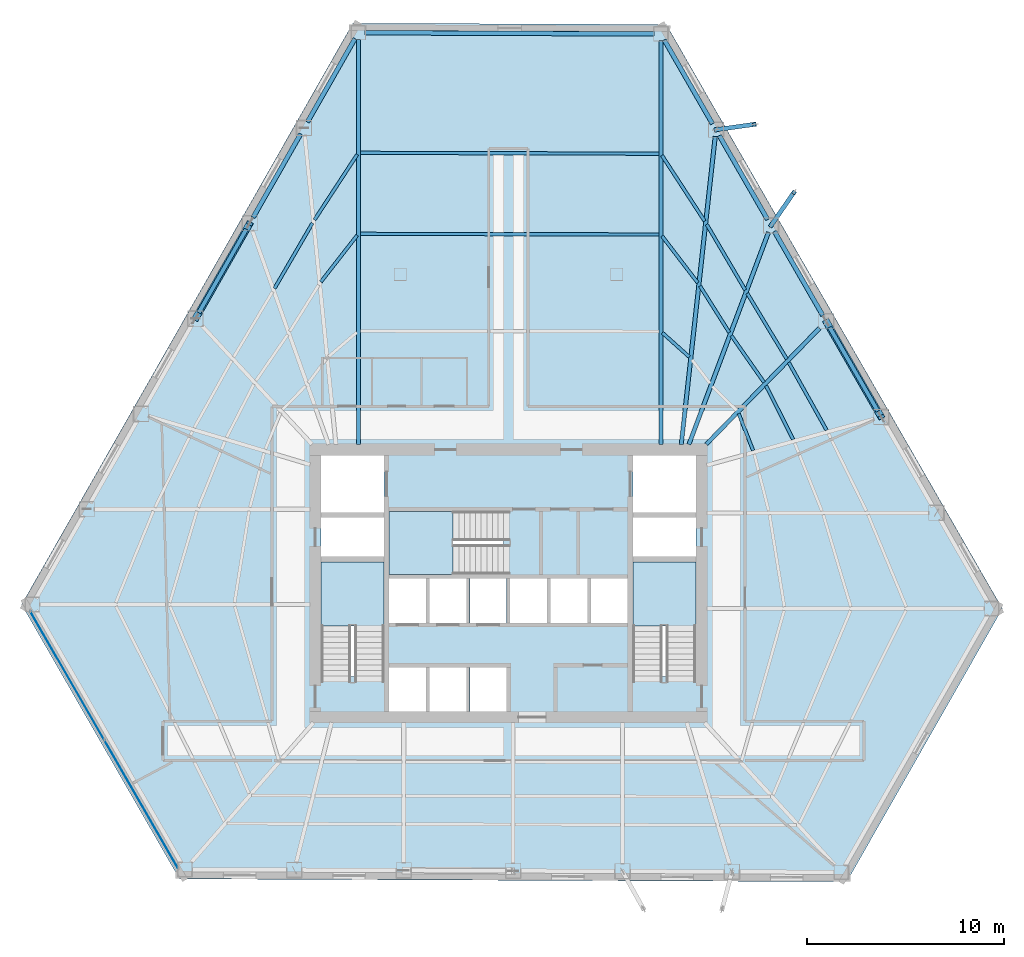
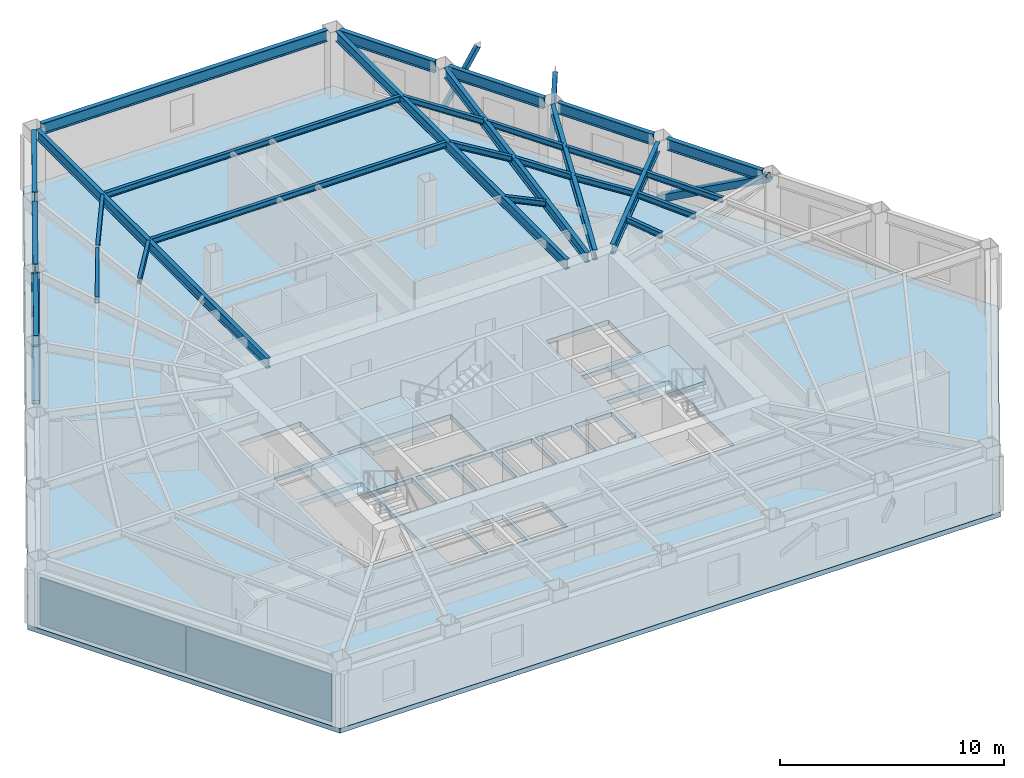
# One storey, part 4 of 13: 28 beams, 4 members, 4 slabs, 2 plates, 4 elements without a shape of their own.
"""IFC4 building model written with IfcOpenShell, lengths in metres."""

from ifc_helpers import new_model, si_unit, direction, frame, origin, origin_2d, place, context, subcontext, project, spatial, polyline, rectangle, hollow_rectangle, i_section, outline, extrude, material, layer, layer_set, material_profile, profile_set, type_object, element, aggregate, save


model = new_model("IFC4")

# Units and contexts
model_context = context("Model", 3, precision=1e-05, world=origin(), true_north=direction((0.0, 1.0)))
body_context = subcontext(model_context, "Body", "Model", "MODEL_VIEW")
ifc_project = project(units=[si_unit("LENGTHUNIT", "METRE"), si_unit("AREAUNIT", "SQUARE_METRE"), si_unit("VOLUMEUNIT", "CUBIC_METRE"), si_unit("PLANEANGLEUNIT", "RADIAN"), si_unit("MASSUNIT", "GRAM", prefix="KILO")], contexts=[model_context])

# Site, building, storey
site_placement = place(None, origin())
site = spatial("IfcSite", under=ifc_project, at=site_placement, CompositionType="ELEMENT")
building_placement = place(site_placement, origin())
building = spatial("IfcBuilding", under=site, at=building_placement, Name="Kavelnor Concourse Tower", CompositionType="ELEMENT")
storey_placement = place(building_placement, frame((0.0, 0.0, 36.800048828125)))
storey = spatial("IfcBuildingStorey", under=building, at=storey_placement, Name="L09", CompositionType="ELEMENT", Elevation=36.800048828125)

# Beams
ifc_material_1 = material(Name="Steel Grade 350", Category="steel")
ifc_material_profile_1 = material_profile(ifc_material_1, i_section(OverallWidth=0.166015625, OverallDepth=0.306884765625, WebThickness=0.006591796875, FlangeThickness=0.01171875, at=origin_2d()), Name="310UB46")
ifc_profile_set_1 = profile_set([ifc_material_profile_1], Name="Steel Grade 350")
beam_type_1 = type_object("IfcBeamType", Name="BM-JOIST-310", PredefinedType="JOIST", material=ifc_profile_set_1)
beam_1_placement = place(storey_placement, frame((50.431884765625, 22.855224609375, 3.4365234375), z_axis=(-0.363791365494, 0.931480457332, 0.0), x_axis=(-0.931480457332, -0.363791365494, 0.0)))
element("IfcBeam", 1, at=beam_1_placement, inside=storey, type_object=beam_type_1, Name="L09 Secondary Composite Joist 11-1", PredefinedType="JOIST", context=body_context, shape_type="SweptSolid", body=[
    extrude(i_section(OverallWidth=0.166015625, OverallDepth=0.306884765625, WebThickness=0.006591796875, FlangeThickness=0.01171875, at=origin_2d()), origin(), (0.0, 0.0, 1.0), 2.013916015625),
])
beam_2_placement = place(storey_placement, frame((52.468505859375, 23.416748046875, 3.4365234375), z_axis=(-0.450844718628, 0.892602397311, 0.0), x_axis=(-0.892602397311, -0.450844718628, 0.0)))
element("IfcBeam", 2, at=beam_2_placement, inside=storey, type_object=beam_type_1, Name="L09 Secondary Composite Joist 11-2", PredefinedType="JOIST", context=body_context, shape_type="SweptSolid", body=[
    extrude(i_section(OverallWidth=0.166015625, OverallDepth=0.306884765625, WebThickness=0.006591796875, FlangeThickness=0.01171875, at=origin_2d()), origin(), (0.0, 0.0, 1.0), 3.062744140625),
])
beam_3_placement = place(storey_placement, frame((54.16943359375, 23.885986328125, 3.4365234375), z_axis=(-0.488296510032, 0.872677786065, 0.0), x_axis=(-0.872677786065, -0.488296510032, 0.0)))
element("IfcBeam", 3, at=beam_3_placement, inside=storey, type_object=beam_type_1, Name="L09 Secondary Composite Joist 11-3", PredefinedType="JOIST", context=body_context, shape_type="SweptSolid", body=[
    extrude(i_section(OverallWidth=0.166015625, OverallDepth=0.306884765625, WebThickness=0.006591796875, FlangeThickness=0.01171875, at=origin_2d()), origin(), (0.0, 0.0, 1.0), 3.949462890625),
])
beam_4_placement = place(storey_placement, frame((50.98681640625, 26.3193359375, 3.4365234375), z_axis=(-0.573014618972, 0.819545146068, 0.0), x_axis=(-0.819545146068, -0.573014618972, 0.0)))
element("IfcBeam", 4, at=beam_4_placement, inside=storey, type_object=beam_type_1, Name="L09 Secondary Composite Joist 12-2", PredefinedType="JOIST", context=body_context, shape_type="SweptSolid", body=[
    extrude(i_section(OverallWidth=0.166015625, OverallDepth=0.306884765625, WebThickness=0.006591796875, FlangeThickness=0.01171875, at=origin_2d()), origin(), (0.0, 0.0, 1.0), 2.8916015625),
])
beam_5_placement = place(storey_placement, frame((52.14208984375, 27.502685546875, 3.4365234375), z_axis=(-0.515398326618, 0.856950736576, 0.0), x_axis=(-0.856950736576, -0.515398326618, 0.0)))
element("IfcBeam", 5, at=beam_5_placement, inside=storey, type_object=beam_type_1, Name="L09 Secondary Composite Joist 12-3", PredefinedType="JOIST", context=body_context, shape_type="SweptSolid", body=[
    extrude(i_section(OverallWidth=0.166015625, OverallDepth=0.306884765625, WebThickness=0.006591796875, FlangeThickness=0.01171875, at=origin_2d()), origin(), (0.0, 0.0, 1.0), 3.89697265625),
])
beam_6_placement = place(storey_placement, frame((49.220703125, 28.853271484375, 3.4365234375), z_axis=(-0.533065798125, 0.846073788076, 0.0), x_axis=(-0.846073788076, -0.533065798125, 0.0)))
element("IfcBeam", 6, at=beam_6_placement, inside=storey, type_object=beam_type_1, Name="L09 Secondary Composite Joist 13-2", PredefinedType="JOIST", context=body_context, shape_type="SweptSolid", body=[
    extrude(i_section(OverallWidth=0.166015625, OverallDepth=0.306884765625, WebThickness=0.006591796875, FlangeThickness=0.01171875, at=origin_2d()), origin(), (0.0, 0.0, 1.0), 2.794677734375),
])
beam_7_placement = place(storey_placement, frame((50.03271484375, 31.01171875, 3.4365234375), z_axis=(-0.506482187894, 0.862250423802, 0.0), x_axis=(-0.862250423802, -0.506482187894, 0.0)))
element("IfcBeam", 7, at=beam_7_placement, inside=storey, type_object=beam_type_1, Name="L09 Secondary Composite Joist 13-3", PredefinedType="JOIST", context=body_context, shape_type="SweptSolid", body=[
    extrude(i_section(OverallWidth=0.166015625, OverallDepth=0.306884765625, WebThickness=0.006591796875, FlangeThickness=0.01171875, at=origin_2d()), origin(), (0.0, 0.0, 1.0), 3.868408203125),
])
beam_8_placement = place(storey_placement, frame((47.19091796875, 27.609619140625, 3.4365234375), z_axis=(-0.744694180789, 0.667405856357, 0.0), x_axis=(-0.667405856357, -0.744694180789, 0.0)))
element("IfcBeam", 8, at=beam_8_placement, inside=storey, type_object=beam_type_1, Name="L09 Secondary Composite Joist 14-1", PredefinedType="JOIST", context=body_context, shape_type="SweptSolid", body=[
    extrude(i_section(OverallWidth=0.166015625, OverallDepth=0.306884765625, WebThickness=0.006591796875, FlangeThickness=0.01171875, at=origin_2d()), origin(), (0.0, 0.0, 1.0), 1.8447265625),
])
beam_9_placement = place(storey_placement, frame((47.618408203125, 31.37939453125, 3.4365234375), z_axis=(-0.607216599188, 0.794536343832, 0.0), x_axis=(-0.794536343832, -0.607216599188, 0.0)))
element("IfcBeam", 9, at=beam_9_placement, inside=storey, type_object=beam_type_1, Name="L09 Secondary Composite Joist 14-2", PredefinedType="JOIST", context=body_context, shape_type="SweptSolid", body=[
    extrude(i_section(OverallWidth=0.166015625, OverallDepth=0.306884765625, WebThickness=0.006591796875, FlangeThickness=0.01171875, at=origin_2d()), origin(), (0.0, 0.0, 1.0), 2.988525390625),
])
beam_10_placement = place(storey_placement, frame((47.9697265625, 34.5146484375, 3.4365234375), z_axis=(-0.54525974596, 0.838267146819, 0.0), x_axis=(-0.838267146819, -0.54525974596, 0.0)))
element("IfcBeam", 10, at=beam_10_placement, inside=storey, type_object=beam_type_1, Name="L09 Secondary Composite Joist 14-3", PredefinedType="JOIST", context=body_context, shape_type="SweptSolid", body=[
    extrude(i_section(OverallWidth=0.166015625, OverallDepth=0.306884765625, WebThickness=0.006591796875, FlangeThickness=0.01171875, at=origin_2d()), origin(), (0.0, 0.0, 1.0), 3.983642578125),
])
for number, where, z_axis, x_axis, name in (
    (11, (45.645263671875, 33.832275390625, 3.4365234375), (-0.999997676428, 0.002155722147, 0.0), (-0.002155722147, -0.999997676428, 0.0), "L09 Secondary Composite Joist 15-2"),
    (12, (45.645263671875, 37.93701171875, 3.4365234375), (-0.999995523166, 0.002992264596, 0.0), (-0.002992264596, -0.999995523166, 0.0), "L09 Secondary Composite Joist 15-3"),
):
    element("IfcBeam", number, at=place(storey_placement, frame(where, z_axis=z_axis, x_axis=x_axis)), inside=storey, type_object=beam_type_1, Name=name, PredefinedType="JOIST", context=body_context, shape_type="SweptSolid", body=[
        extrude(i_section(OverallWidth=0.166015625, OverallDepth=0.306884765625, WebThickness=0.006591796875, FlangeThickness=0.01171875, at=origin_2d()), origin(), (0.0, 0.0, 1.0), 15.17578125),
    ])
beam_11_placement = place(storey_placement, frame((30.310302734375, 33.78759765625, 3.4365234375), z_axis=(-0.614848396241, -0.788645325631, 0.0), x_axis=(0.788645325631, -0.614848396241, 0.0)))
element("IfcBeam", 13, at=beam_11_placement, inside=storey, type_object=beam_type_1, Name="L09 Secondary Composite Joist 16-2", PredefinedType="JOIST", context=body_context, shape_type="SweptSolid", body=[
    extrude(i_section(OverallWidth=0.166015625, OverallDepth=0.306884765625, WebThickness=0.006591796875, FlangeThickness=0.01171875, at=origin_2d()), origin(), (0.0, 0.0, 1.0), 2.996337890625),
])
beam_12_placement = place(storey_placement, frame((30.31689453125, 37.900146484375, 3.4365234375), z_axis=(-0.547398480283, -0.836872095235, 0.0), x_axis=(0.836872095235, -0.547398480283, 0.0)))
element("IfcBeam", 14, at=beam_12_placement, inside=storey, type_object=beam_type_1, Name="L09 Secondary Composite Joist 16-3", PredefinedType="JOIST", context=body_context, shape_type="SweptSolid", body=[
    extrude(i_section(OverallWidth=0.166015625, OverallDepth=0.306884765625, WebThickness=0.006591796875, FlangeThickness=0.01171875, at=origin_2d()), origin(), (0.0, 0.0, 1.0), 3.969970703125),
])
beam_13_placement = place(storey_placement, frame((28.040283203125, 34.410400390625, 3.4365234375), z_axis=(-0.502687902436, -0.864467970919, 0.0), x_axis=(0.864467970919, -0.502687902436, 0.0)))
element("IfcBeam", 15, at=beam_13_placement, inside=storey, type_object=beam_type_1, Name="L09 Secondary Composite Joist 17-3", PredefinedType="JOIST", context=body_context, shape_type="SweptSolid", body=[
    extrude(i_section(OverallWidth=0.166015625, OverallDepth=0.306884765625, WebThickness=0.006591796875, FlangeThickness=0.01171875, at=origin_2d()), origin(), (0.0, 0.0, 1.0), 3.837646484375),
])
ifc_material_profile_2 = material_profile(ifc_material_1, i_section(OverallWidth=0.208984375, OverallDepth=0.528076171875, WebThickness=0.009521484375, FlangeThickness=0.01318359375, at=origin_2d()), Name="530UB82")
ifc_profile_set_2 = profile_set([ifc_material_profile_2], Name="Steel Grade 350")
beam_type_2 = type_object("IfcBeamType", Name="BM-PRIMARY-530", PredefinedType="BEAM", material=ifc_profile_set_2)
beam_14_placement = place(storey_placement, frame((30.370849609375, 23.159912109375, 3.325927734375), z_axis=(0.0, 1.0, 0.0), x_axis=(-1.0, 0.0, 0.0)))
element("IfcBeam", 16, at=beam_14_placement, inside=storey, type_object=beam_type_2, Name="L09 Primary Floor Girder F0-B0", PredefinedType="BEAM", context=body_context, shape_type="SweptSolid", body=[
    extrude(i_section(OverallWidth=0.208984375, OverallDepth=0.528076171875, WebThickness=0.009521484375, FlangeThickness=0.01318359375, at=origin_2d()), origin(), (0.0, 0.0, 1.0), 20.5869140625),
])
beam_15_placement = place(storey_placement, frame((48.053955078125, 23.17138671875, 3.325927734375), z_axis=(0.697948159373, 0.716148285503, 0.0), x_axis=(-0.716148285503, 0.697948159373, 0.0)))
element("IfcBeam", 17, at=beam_15_placement, inside=storey, type_object=beam_type_2, Name="L09 Primary Floor Girder F2-B3", PredefinedType="BEAM", context=body_context, shape_type="SweptSolid", body=[
    extrude(i_section(OverallWidth=0.208984375, OverallDepth=0.528076171875, WebThickness=0.009521484375, FlangeThickness=0.01318359375, at=origin_2d()), origin(), (0.0, 0.0, 1.0), 8.236328125),
])
beam_16_placement = place(storey_placement, frame((47.1689453125, 23.16259765625, 3.325927734375), z_axis=(0.351358047128, 0.936241166964, 0.0), x_axis=(-0.936241166964, 0.351358047128, 0.0)))
element("IfcBeam", 18, at=beam_16_placement, inside=storey, type_object=beam_type_2, Name="L09 Primary Floor Girder F2-B4", PredefinedType="BEAM", context=body_context, shape_type="SweptSolid", body=[
    extrude(i_section(OverallWidth=0.208984375, OverallDepth=0.528076171875, WebThickness=0.009521484375, FlangeThickness=0.01318359375, at=origin_2d()), origin(), (0.0, 0.0, 1.0), 11.517822265625),
])
beam_17_placement = place(storey_placement, frame((46.781005859375, 23.16015625, 3.325927734375), z_axis=(0.109558720285, 0.993980325162, 0.0), x_axis=(-0.993980325162, 0.109558720285, 0.0)))
element("IfcBeam", 19, at=beam_17_placement, inside=storey, type_object=beam_type_2, Name="L09 Primary Floor Girder F2-B5", PredefinedType="BEAM", context=body_context, shape_type="SweptSolid", body=[
    extrude(i_section(OverallWidth=0.208984375, OverallDepth=0.528076171875, WebThickness=0.009521484375, FlangeThickness=0.01318359375, at=origin_2d()), origin(), (0.0, 0.0, 1.0), 15.750244140625),
])
beam_18_placement = place(storey_placement, frame((45.743896484375, 23.159912109375, 3.325927734375), z_axis=(0.0, 1.0, 0.0), x_axis=(-1.0, 0.0, 0.0)))
element("IfcBeam", 20, at=beam_18_placement, inside=storey, type_object=beam_type_2, Name="L09 Primary Floor Girder F2-B6", PredefinedType="BEAM", context=body_context, shape_type="SweptSolid", body=[
    extrude(i_section(OverallWidth=0.208984375, OverallDepth=0.528076171875, WebThickness=0.009521484375, FlangeThickness=0.01318359375, at=origin_2d()), origin(), (0.0, 0.0, 1.0), 20.523193359375),
])
ifc_material_profile_3 = material_profile(ifc_material_1, i_section(OverallWidth=0.22900390625, OverallDepth=0.612060546875, WebThickness=0.011962890625, FlangeThickness=0.01953125, at=origin_2d()), Name="610UB125")
ifc_profile_set_3 = profile_set([ifc_material_profile_3], Name="Steel Grade 350")
beam_type_3 = type_object("IfcBeamType", Name="BM-SPANDREL-Z1", PredefinedType="SPANDREL", material=ifc_profile_set_3)
for number, where, z_axis, x_axis, name in (
    (21, (30.2001953125, 43.787109375, 3.283935546875), (-0.495121170141, -0.868823933187, 0.0), (0.868823933187, -0.495121170141, 0.0), "L09 Perimeter Tube Spandrel Beam F0-B0"),
    (22, (27.4404296875, 38.944091796875, 3.283935546875), (-0.495083435807, -0.868845435961, 0.0), (0.868845435961, -0.495083435807, 0.0), "L09 Perimeter Tube Spandrel Beam F0-B1"),
    (23, (24.680908203125, 34.10107421875, 3.283935546875), (-0.495121170141, -0.868823933187, 0.0), (0.868823933187, -0.495121170141, 0.0), "L09 Perimeter Tube Spandrel Beam F0-B2"),
):
    element("IfcBeam", number, at=place(storey_placement, frame(where, z_axis=z_axis, x_axis=x_axis)), inside=storey, type_object=beam_type_3, Name=name, PredefinedType="SPANDREL", context=body_context, shape_type="SweptSolid", body=[
        extrude(i_section(OverallWidth=0.22900390625, OverallDepth=0.612060546875, WebThickness=0.011962890625, FlangeThickness=0.01953125, at=origin_2d()), origin(), (0.0, 0.0, 1.0), 4.884033203125),
    ])
beam_19_placement = place(storey_placement, frame((45.398681640625, 44.0244140625, 3.283935546875), z_axis=(-0.999991360212, 0.004156862042, 0.0), x_axis=(-0.004156862042, -0.999991360212, 0.0)))
element("IfcBeam", 24, at=beam_19_placement, inside=storey, type_object=beam_type_3, Name="L09 Chamfer Facet Spandrel Beam C0", PredefinedType="SPANDREL", context=body_context, shape_type="SweptSolid", body=[
    extrude(i_section(OverallWidth=0.22900390625, OverallDepth=0.612060546875, WebThickness=0.011962890625, FlangeThickness=0.01953125, at=origin_2d()), origin(), (0.0, 0.0, 1.0), 14.68310546875),
])
for number, where, z_axis, x_axis, name in (
    (25, (56.773193359375, 24.85302734375, 3.283935546875), (-0.498693682094, 0.866778294283, 0.0), (-0.866778294283, -0.498693682094, 0.0), "L09 Perimeter Tube Spandrel Beam F2-B2"),
    (26, (53.972900390625, 29.72021484375, 3.283935546875), (-0.498693682094, 0.866778294283, 0.0), (-0.866778294283, -0.498693682094, 0.0), "L09 Perimeter Tube Spandrel Beam F2-B3"),
):
    element("IfcBeam", number, at=place(storey_placement, frame(where, z_axis=z_axis, x_axis=x_axis)), inside=storey, type_object=beam_type_3, Name=name, PredefinedType="SPANDREL", context=body_context, shape_type="SweptSolid", body=[
        extrude(i_section(OverallWidth=0.22900390625, OverallDepth=0.612060546875, WebThickness=0.011962890625, FlangeThickness=0.01953125, at=origin_2d()), origin(), (0.0, 0.0, 1.0), 4.925537109375),
    ])
for number, where, z_axis, x_axis, name in (
    (27, (51.172607421875, 34.587646484375, 3.283935546875), (-0.498715108542, 0.866765966402, 0.0), (-0.866765966402, -0.498715108542, 0.0), "L09 Perimeter Tube Spandrel Beam F2-B4"),
    (28, (48.3720703125, 39.454833984375, 3.283935546875), (-0.49865644079, 0.866799719692, 0.0), (-0.866799719692, -0.49865644079, 0.0), "L09 Perimeter Tube Spandrel Beam F2-B5"),
):
    element("IfcBeam", number, at=place(storey_placement, frame(where, z_axis=z_axis, x_axis=x_axis)), inside=storey, type_object=beam_type_3, Name=name, PredefinedType="SPANDREL", context=body_context, shape_type="SweptSolid", body=[
        extrude(i_section(OverallWidth=0.22900390625, OverallDepth=0.612060546875, WebThickness=0.011962890625, FlangeThickness=0.01953125, at=origin_2d()), origin(), (0.0, 0.0, 1.0), 4.92529296875),
    ])

# Members
ifc_material_profile_4 = material_profile(ifc_material_1, hollow_rectangle(XDim=0.219970703125, YDim=0.219970703125, WallThickness=0.013916015625, at=origin_2d()), Name="SHS 220x220x14")
ifc_profile_set_4 = profile_set([ifc_material_profile_4], Name="Steel Grade 350")
member_type_1 = type_object("IfcMemberType", Name="MBR-BALC-STRUT-220", PredefinedType="STRUT", material=ifc_profile_set_4)
member_1_placement = place(storey_placement, frame((51.344482421875, 34.28857421875, 1.050048828125), z_axis=(0.350391422681, 0.507399834444, 0.787255523269), x_axis=(-0.822863598049, 0.568238945344, 0.0)))
element("IfcMember", 29, at=member_1_placement, inside=storey, type_object=member_type_1, Name="L09 Tree Balcony Raking Knee Strut 2-A", PredefinedType="STRUT", context=body_context, shape_type="SweptSolid", body=[
    extrude(hollow_rectangle(XDim=0.219970703125, YDim=0.219970703125, WallThickness=0.013916015625, at=origin_2d()), origin(), (0.0, 0.0, 1.0), 3.308837890625),
])
member_2_placement = place(storey_placement, frame((48.544189453125, 39.15576171875, 1.050048828125), z_axis=(0.598528150908, 0.083925354494, 0.796693534205), x_axis=(-0.138861095286, 0.990311868159, 0.0)))
element("IfcMember", 30, at=member_2_placement, inside=storey, type_object=member_type_1, Name="L09 Tree Balcony Raking Knee Strut 2-B", PredefinedType="STRUT", context=body_context, shape_type="SweptSolid", body=[
    extrude(hollow_rectangle(XDim=0.219970703125, YDim=0.219970703125, WallThickness=0.013916015625, at=origin_2d()), origin(), (0.0, 0.0, 1.0), 3.269775390625),
])
ifc_material_profile_5 = material_profile(ifc_material_1, hollow_rectangle(XDim=0.35009765625, YDim=0.35009765625, WallThickness=0.02001953125, at=origin_2d()), Name="SHS 350x350x20")
ifc_profile_set_5 = profile_set([ifc_material_profile_5], Name="Steel Grade 350")
member_type_2 = type_object("IfcMemberType", Name="MBR-TUBE-DIAG-Z1", PredefinedType="BRACE", material=ifc_profile_set_5)
member_3_placement = place(storey_placement, frame((22.092041015625, 29.557861328125, 0.219970703125), z_axis=(0.433843811318, 0.761404908884, 0.481707496421), x_axis=(-0.868854329792, 0.495067827274, 0.0)))
element("IfcMember", 31, at=member_3_placement, inside=storey, type_object=member_type_2, Name="L09 Framed-Tube Bracing Diagonal F0-B2", PredefinedType="BRACE", context=body_context, shape_type="SweptSolid", body=[
    extrude(hollow_rectangle(XDim=0.35009765625, YDim=0.35009765625, WallThickness=0.02001953125, at=origin_2d()), origin(), (0.0, 0.0, 1.0), 6.360595703125),
])
member_4_placement = place(storey_placement, frame((54.14501953125, 29.42138671875, 0.219970703125), z_axis=(0.437752025553, -0.760894693412, 0.478970176171), x_axis=(0.86678932784, 0.498674504204, 0.0)))
element("IfcMember", 32, at=member_4_placement, inside=storey, type_object=member_type_2, Name="L09 Framed-Tube Bracing Diagonal F2-B2", PredefinedType="BRACE", context=body_context, shape_type="SweptSolid", body=[
    extrude(hollow_rectangle(XDim=0.35009765625, YDim=0.35009765625, WallThickness=0.02001953125, at=origin_2d()), origin(), (0.0, 0.0, 1.0), 6.39697265625),
])

# Curtain wall, plates
ifc_material_2 = material(Name="Anodised aluminium 6063-T6", Category="aluminium")
ifc_layer_1 = layer(ifc_material_2, 0.155029296875, Name="Anodised aluminium 6063-T6")
ifc_layer_set_1 = layer_set([ifc_layer_1], Name="Anodised aluminium 6063-T6")
curtain_wall_type = type_object("IfcCurtainWallType", Name="CW-CORNER-ACCENT", PredefinedType="NOTDEFINED", material=ifc_layer_set_1)
curtain_wall_placement = place(storey_placement, origin())
curtain_wall = element("IfcCurtainWall", 33, at=curtain_wall_placement, inside=storey, type_object=curtain_wall_type, Name="L09 Chamfer Corner Glazed Accent C1", PredefinedType="NOTDEFINED")
ifc_material_3 = material(Name="Double low-E argon insulated glazing", Category="glass")
ifc_layer_2 = layer(ifc_material_3, 0.02587890625, Name="Double low-E argon insulated glazing")
ifc_layer_set_2 = layer_set([ifc_layer_2], Name="Double low-E argon insulated glazing")
plate_type = type_object("IfcPlateType", Name="CW-CORNER-ACCENT-PANEL", PredefinedType="CURTAIN_PANEL", material=ifc_layer_set_2)
plate_1_placement = place(storey_placement, frame((19.333984375, 4.891845703125, 0.059814453125), z_axis=(0.0, 0.0, 1.0), x_axis=(-0.498639034186, 0.866809733209, 0.0)))
plate_1 = element("IfcPlate", 34, at=plate_1_placement, type_object=plate_type, Name="L09 Chamfer Corner Glazed Accent C1 Vision Panel 1", PredefinedType="CURTAIN_PANEL", context=body_context, shape_type="SweptSolid", body=[
    extrude(rectangle(XDim=7.489013671875, YDim=0.02587890625, at=origin_2d()), origin(), (0.0, 0.0, 1.0), 2.580078125),
])
plate_2_placement = place(storey_placement, frame((15.572265625, 11.43017578125, 0.059814453125), z_axis=(0.0, 0.0, 1.0), x_axis=(-0.498639034186, 0.866809733209, 0.0)))
plate_2 = element("IfcPlate", 35, at=plate_2_placement, type_object=plate_type, Name="L09 Chamfer Corner Glazed Accent C1 Vision Panel 2", PredefinedType="CURTAIN_PANEL", context=body_context, shape_type="SweptSolid", body=[
    extrude(rectangle(XDim=7.489013671875, YDim=0.02587890625, at=origin_2d()), origin(), (0.0, 0.0, 1.0), 2.580078125),
])
aggregate(curtain_wall, [plate_1, plate_2])

# Stair, slab
ifc_material_4 = material(Name="Concrete C40/50", Category="concrete")
stair_type = type_object("IfcStairType", Name="STR-CORE-1500", PredefinedType="HALF_TURN_STAIR", material=ifc_material_4)
stair_1_placement = place(storey_placement, origin())
stair_1 = element("IfcStair", 36, at=stair_1_placement, inside=storey, type_object=stair_type, Name="L09 ST1", PredefinedType="HALF_TURN_STAIR")
ifc_layer_3 = layer(ifc_material_4, 0.199951171875, Name="Concrete C40/50")
ifc_layer_set_3 = layer_set([ifc_layer_3], Name="Concrete C40/50")
slab_type_1 = type_object("IfcSlabType", Name="SLB-LANDING-200", PredefinedType="LANDING", material=ifc_layer_set_3)
slab_1_placement = place(storey_placement, frame((0.0, 0.0, 1.724853515625)))
slab_1 = element("IfcSlab", 37, at=slab_1_placement, type_object=slab_type_1, Name="ST1 landing 1", PredefinedType="LANDING", context=body_context, shape_type="SweptSolid", body=[
    extrude(outline(polyline([(31.679931640625, 13.949951171875), (31.679931640625, 17.199951171875), (28.47998046875, 17.199951171875), (28.47998046875, 13.949951171875), (31.679931640625, 13.949951171875)])), origin(), (0.0, 0.0, 1.0), 0.2001953125),
])
aggregate(stair_1, [slab_1])

stair_2_placement = place(storey_placement, origin())
stair_2 = element("IfcStair", 38, at=stair_2_placement, inside=storey, type_object=stair_type, Name="L09 ST2", PredefinedType="HALF_TURN_STAIR")
slab_2_placement = place(storey_placement, frame((0.0, 0.0, 1.724853515625)))
slab_2 = element("IfcSlab", 39, at=slab_2_placement, type_object=slab_type_1, Name="ST2 landing 1", PredefinedType="LANDING", context=body_context, shape_type="SweptSolid", body=[
    extrude(outline(polyline([(47.52001953125, 13.949951171875), (47.52001953125, 17.199951171875), (44.320068359375, 17.199951171875), (44.320068359375, 13.949951171875), (47.52001953125, 13.949951171875)])), origin(), (0.0, 0.0, 1.0), 0.2001953125),
])
aggregate(stair_2, [slab_2])

stair_3_placement = place(storey_placement, origin())
stair_3 = element("IfcStair", 40, at=stair_3_placement, inside=storey, type_object=stair_type, Name="L09 ST3", PredefinedType="HALF_TURN_STAIR")
slab_3_placement = place(storey_placement, frame((0.0, 0.0, 1.724853515625)))
slab_3 = element("IfcSlab", 41, at=slab_3_placement, type_object=slab_type_1, Name="ST3 landing 1", PredefinedType="LANDING", context=body_context, shape_type="SweptSolid", body=[
    extrude(outline(polyline([(35.18994140625, 19.760009765625), (31.93994140625, 19.760009765625), (31.93994140625, 16.56005859375), (35.18994140625, 16.56005859375), (35.18994140625, 19.760009765625)])), origin(), (0.0, 0.0, 1.0), 0.2001953125),
])
aggregate(stair_3, [slab_3])

# Slab
ifc_layer_4 = layer(ifc_material_4, 0.260009765625, Name="Concrete C40/50")
ifc_layer_set_4 = layer_set([ifc_layer_4], Name="Concrete C40/50")
slab_type_2 = type_object("IfcSlabType", Name="SLB-OFFICE-260", PredefinedType="FLOOR", material=ifc_layer_set_4)
slab_4_placement = place(storey_placement, frame((0.0, 0.0, -0.260009765625)))
element("IfcSlab", 42, at=slab_4_placement, inside=storey, type_object=slab_type_2, Name="L09 Composite Structural Floor Slab", PredefinedType="FLOOR", context=body_context, shape_type="SweptSolid", body=[
    extrude(outline(polyline([(46.022216796875, 44.501953125), (30.092529296875, 44.568115234375), (13.260009765625, 15.02783203125), (21.281982421875, 1.084716796875), (55.191650390625, 0.943603515625), (63.09912109375, 14.82080078125), (46.022216796875, 44.501953125)]), holes=[polyline([(28.47998046875, 11.3798828125), (31.679931640625, 11.3798828125), (31.679931640625, 17.199951171875), (28.47998046875, 17.199951171875), (28.47998046875, 11.3798828125)]), polyline([(44.320068359375, 11.3798828125), (47.52001953125, 11.3798828125), (47.52001953125, 17.199951171875), (44.320068359375, 17.199951171875), (44.320068359375, 11.3798828125)]), polyline([(31.93994140625, 16.56005859375), (37.760009765625, 16.56005859375), (37.760009765625, 19.760009765625), (31.93994140625, 19.760009765625), (31.93994140625, 16.56005859375)]), polyline([(28.47998046875, 19.699951171875), (31.679931640625, 19.699951171875), (31.679931640625, 22.60009765625), (28.47998046875, 22.60009765625), (28.47998046875, 19.699951171875)]), polyline([(44.320068359375, 19.699951171875), (47.52001953125, 19.699951171875), (47.52001953125, 22.60009765625), (44.320068359375, 22.60009765625), (44.320068359375, 19.699951171875)]), polyline([(31.93994140625, 14.10009765625), (33.81005859375, 14.10009765625), (33.81005859375, 16.340087890625), (31.93994140625, 16.340087890625), (31.93994140625, 14.10009765625)]), polyline([(33.989990234375, 14.10009765625), (35.860107421875, 14.10009765625), (35.860107421875, 16.340087890625), (33.989990234375, 16.340087890625), (33.989990234375, 14.10009765625)]), polyline([(36.0400390625, 14.10009765625), (37.909912109375, 14.10009765625), (37.909912109375, 16.340087890625), (36.0400390625, 16.340087890625), (36.0400390625, 14.10009765625)]), polyline([(38.090087890625, 14.10009765625), (39.9599609375, 14.10009765625), (39.9599609375, 16.340087890625), (38.090087890625, 16.340087890625), (38.090087890625, 14.10009765625)]), polyline([(40.139892578125, 14.10009765625), (42.010009765625, 14.10009765625), (42.010009765625, 16.340087890625), (40.139892578125, 16.340087890625), (40.139892578125, 14.10009765625)]), polyline([(42.18994140625, 14.10009765625), (44.06005859375, 14.10009765625), (44.06005859375, 16.340087890625), (42.18994140625, 16.340087890625), (42.18994140625, 14.10009765625)]), polyline([(31.93994140625, 9.60009765625), (33.81005859375, 9.60009765625), (33.81005859375, 11.840087890625), (31.93994140625, 11.840087890625), (31.93994140625, 9.60009765625)]), polyline([(33.989990234375, 9.60009765625), (35.860107421875, 9.60009765625), (35.860107421875, 11.840087890625), (33.989990234375, 11.840087890625), (33.989990234375, 9.60009765625)]), polyline([(36.0400390625, 9.60009765625), (37.909912109375, 9.60009765625), (37.909912109375, 11.840087890625), (36.0400390625, 11.840087890625), (36.0400390625, 9.60009765625)]), polyline([(28.47998046875, 17.4599609375), (31.679931640625, 17.4599609375), (31.679931640625, 19.43994140625), (28.47998046875, 19.43994140625), (28.47998046875, 17.4599609375)]), polyline([(44.320068359375, 17.4599609375), (47.52001953125, 17.4599609375), (47.52001953125, 19.43994140625), (44.320068359375, 19.43994140625), (44.320068359375, 17.4599609375)])]), origin(), (0.0, 0.0, 1.0), 0.260009765625),
])

save(model, "model.ifc")
